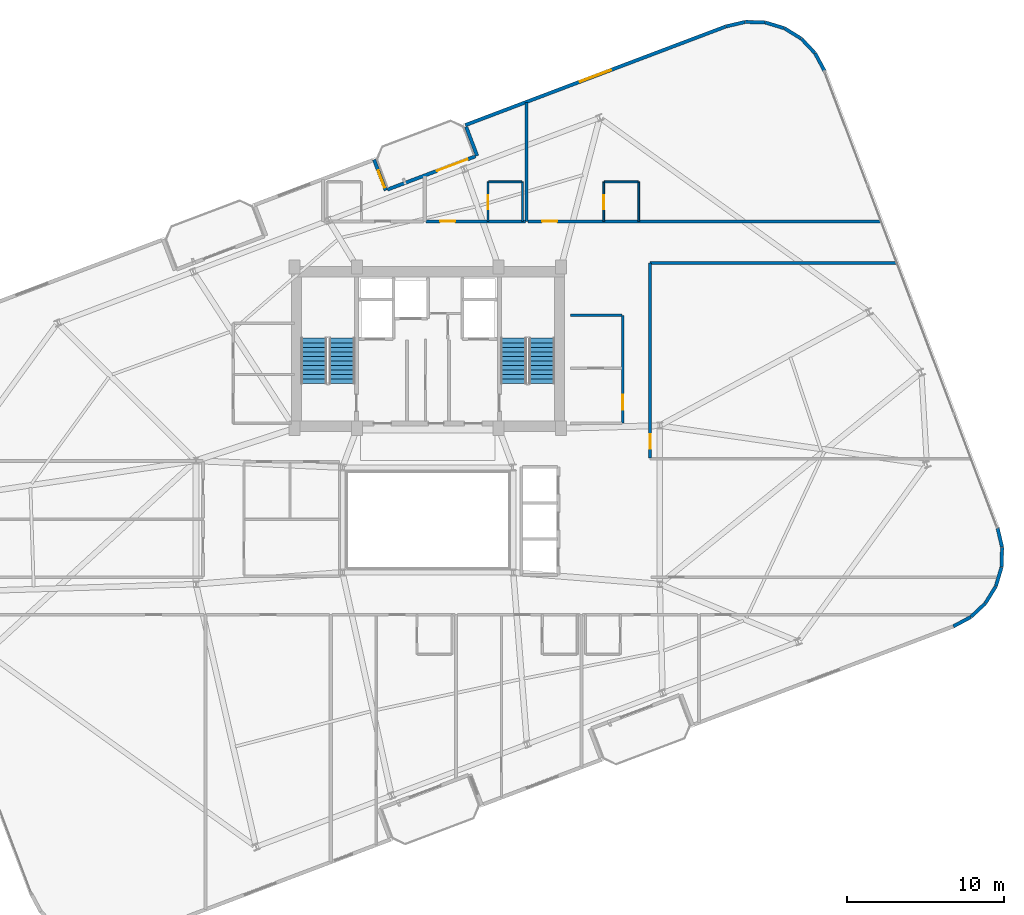
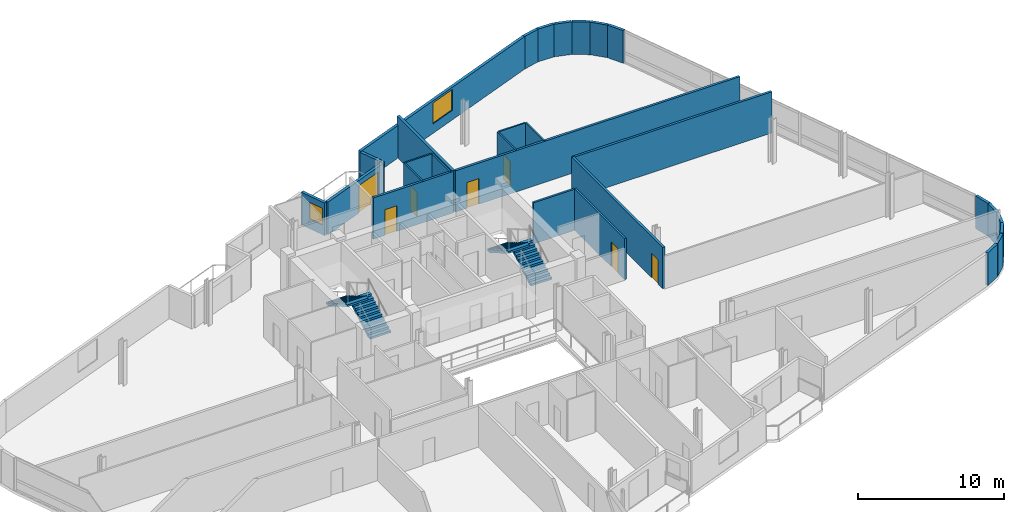
# One storey, part 17 of 20: 29 walls, 7 doors, 4 stair flights, 2 windows, 9 openings, 2 elements without a shape of their own.
"""IFC4 building model written with IfcOpenShell, lengths in metres."""

import ifcopenshell
import ifcopenshell.guid

model = None  # the IFC model being written
_history = None  # IfcOwnerHistory: only IFC2X3 demands one
_inside = {}  # id of a spatial element -> (the spatial element, [elements in it])
_under = {}  # id of a project, library or spatial element -> (it, [spatial elements below it])
_declared = {}  # id of a project -> (the project, [libraries it declares])
_typed = {}  # id of a type object -> (the type object, [elements of that type])
_made_of = {}  # id of a material, layer set ... -> (it, [elements and type objects made of it])


def new_model(schema):
    """Start an empty IFC model of exactly this schema.

    Asked for "IFC4X3", IfcOpenShell would pick the latest addendum, in which some entities
    have other attributes; the version numbers below select the first issue.
    IFC2X3 requires an IfcOwnerHistory on every rooted entity: one is made here for all.
    """
    global model, _history
    if schema == "IFC4X3":
        model = ifcopenshell.file(schema_version=(4, 3, 0, 0))
    else:
        model = ifcopenshell.file(schema=schema)
    _inside.clear()
    _under.clear()
    _declared.clear()
    _typed.clear()
    _made_of.clear()
    _history = None
    if model.schema == "IFC2X3":
        org = make("IfcOrganization", Name="unknown")
        user = make(
            "IfcPersonAndOrganization",
            ThePerson=make("IfcPerson", FamilyName="unknown"),
            TheOrganization=org,
        )
        app = make(
            "IfcApplication",
            ApplicationDeveloper=org,
            Version="unknown",
            ApplicationFullName="unknown",
            ApplicationIdentifier="unknown",
        )
        _history = make(
            "IfcOwnerHistory",
            OwningUser=user,
            OwningApplication=app,
            ChangeAction="ADDED",
            CreationDate=0,
        )
    return model


def make(cls, **values):
    """One entity of the class cls with the attributes given. An attribute that is None is left unset."""
    return model.create_entity(
        cls, **{name: value for name, value in values.items() if value is not None}
    )


def rooted(cls, **values):
    """An entity with a GlobalId (a new one), such as an element, a storey or a relation."""
    return make(cls, GlobalId=ifcopenshell.guid.new(), OwnerHistory=_history, **values)


def si_unit(unit_type, name, prefix=None):
    """IfcSIUnit, for example si_unit("LENGTHUNIT", "METRE", prefix="MILLI")."""
    return make("IfcSIUnit", UnitType=unit_type, Prefix=prefix, Name=name)


def assignment(units):
    """IfcUnitAssignment: the units of a project."""
    return None if units is None else make("IfcUnitAssignment", Units=units)


def point(xyz):
    """IfcCartesianPoint."""
    return None if xyz is None else make("IfcCartesianPoint", Coordinates=xyz)


def direction(xyz):
    """IfcDirection."""
    return None if xyz is None else make("IfcDirection", DirectionRatios=xyz)


def frame(location, z_axis=None, x_axis=None):
    """IfcAxis2Placement3D, a coordinate frame: its origin and axes. An axis left out is left unset."""
    return make(
        "IfcAxis2Placement3D",
        Location=point(location),
        Axis=direction(z_axis),
        RefDirection=direction(x_axis),
    )


def frame_2d(location, x_axis=None):
    """IfcAxis2Placement2D, a coordinate frame in the plane: its origin and x axis."""
    return make(
        "IfcAxis2Placement2D", Location=point(location), RefDirection=direction(x_axis)
    )


def origin():
    """The frame at (0, 0, 0) with its axes left unset."""
    return frame((0.0, 0.0, 0.0))


def place(relative_to, where):
    """IfcLocalPlacement: puts the frame where relative to a parent placement (None: the world)."""
    return make(
        "IfcLocalPlacement", PlacementRelTo=relative_to, RelativePlacement=where
    )


def context(
    kind, dimensions, precision=None, world=None, true_north=None, identifier=None
):
    """IfcGeometricRepresentationContext, for example the 3D "Model" context."""
    return make(
        "IfcGeometricRepresentationContext",
        ContextIdentifier=identifier,
        ContextType=kind,
        CoordinateSpaceDimension=dimensions,
        Precision=precision,
        WorldCoordinateSystem=world,
        TrueNorth=true_north,
    )


def subcontext(parent, identifier, kind, view, scale=None):
    """IfcGeometricRepresentationSubContext, for example "Body" below "Model"."""
    return make(
        "IfcGeometricRepresentationSubContext",
        ContextIdentifier=identifier,
        ContextType=kind,
        ParentContext=parent,
        TargetScale=scale,
        TargetView=view,
    )


def project(units=None, contexts=None):
    """IfcProject with its units and contexts."""
    return rooted(
        "IfcProject",
        Name="project",
        RepresentationContexts=contexts,
        UnitsInContext=assignment(units),
    )


def spatial(cls, under=None, at=None, **own):
    """A site, building, storey or space (cls), placed at a placement, below another one or the project."""
    s = rooted(cls, ObjectPlacement=at, **own)
    if under is not None:
        _under.setdefault(under.id(), (under, []))[1].append(s)
    return s


def polyline(points):
    """IfcPolyline through the points."""
    return make("IfcPolyline", Points=[point(p) for p in points])


def profile(cls, at=None, kind="AREA", **sizes):
    """A parametric profile (cls). Its sizes go by their IFC names, for example OverallWidth=200.0."""
    return make(cls, ProfileType=kind, Position=at, **sizes)


def rectangle(**sizes):
    """IfcRectangleProfileDef."""
    return profile("IfcRectangleProfileDef", **sizes)


def outline(outer, holes=None, kind="AREA"):
    """IfcArbitraryClosedProfileDef: a profile drawn as a closed curve; with holes, ...WithVoids."""
    if holes is None:
        return make("IfcArbitraryClosedProfileDef", ProfileType=kind, OuterCurve=outer)
    return make(
        "IfcArbitraryProfileDefWithVoids",
        ProfileType=kind,
        OuterCurve=outer,
        InnerCurves=holes,
    )


def extrude(swept, where, along, depth):
    """IfcExtrudedAreaSolid: the profile swept, set in the frame where, extruded along a direction by depth."""
    return make(
        "IfcExtrudedAreaSolid",
        SweptArea=swept,
        Position=where,
        ExtrudedDirection=direction(along),
        Depth=depth,
    )


def shape(context_of_items, identifier, shape_type, items):
    """IfcShapeRepresentation: the items that make up one representation, for example the "Body"."""
    return make(
        "IfcShapeRepresentation",
        ContextOfItems=context_of_items,
        RepresentationIdentifier=identifier,
        RepresentationType=shape_type,
        Items=items,
    )


def material(Name=None, Category=None):
    """IfcMaterial."""
    return make("IfcMaterial", Name=Name, Category=Category)


def layer(
    of_material, thickness, ventilated=None, Name=None, Category=None, Priority=None
):
    """IfcMaterialLayer: one layer of a wall or slab, of a material (None: an air gap)."""
    return make(
        "IfcMaterialLayer",
        Material=of_material,
        LayerThickness=thickness,
        IsVentilated=ventilated,
        Name=Name,
        Category=Category,
        Priority=Priority,
    )


def layer_set(layers, Name=None):
    """IfcMaterialLayerSet."""
    return make("IfcMaterialLayerSet", MaterialLayers=layers, LayerSetName=Name)


def made_of(thing, what):
    """Note that an element or type object is made of a material, layer set ...; save() writes the relation."""
    if what is not None:
        _made_of.setdefault(what.id(), (what, []))[1].append(thing)
    return thing


def type_object(cls, material=None, **own):
    """A type object (cls), such as IfcWallType, which elements share."""
    return made_of(rooted(cls, **own), material)


def element(
    cls,
    number,
    at=None,
    inside=None,
    cuts=None,
    type_object=None,
    material=None,
    context=None,
    identifier="Body",
    shape_type=None,
    held_by="IfcProductDefinitionShape",
    body=None,
    shapes=None,
    **own,
):
    """One element of the class cls, such as IfcWall. Its Tag is "e" and its number.

    at: its placement. inside: the storey or other place that contains it. cuts: it is an
    opening in that element (IfcRelVoidsElement). A single representation is given by context,
    identifier, shape_type and body (its items); several are given by shapes. held_by: the class
    of the entity that holds the representations. save() writes the other relations.
    """
    e = rooted(cls, Tag="e%d" % number, ObjectPlacement=at, **own)
    if body is not None:
        shapes = [shape(context, identifier, shape_type, body)]
    if shapes is not None:
        e.Representation = make(held_by, Representations=shapes)
    if inside is not None:
        _inside.setdefault(inside.id(), (inside, []))[1].append(e)
    if cuts is not None:
        rooted(
            "IfcRelVoidsElement", RelatingBuildingElement=cuts, RelatedOpeningElement=e
        )
    if type_object is not None:
        _typed.setdefault(type_object.id(), (type_object, []))[1].append(e)
    return made_of(e, material)


def fill(opening, filler):
    """IfcRelFillsElement: the door or window that sits in an opening."""
    return rooted(
        "IfcRelFillsElement",
        RelatingOpeningElement=opening,
        RelatedBuildingElement=filler,
    )


def aggregate(whole, parts):
    """IfcRelAggregates: a whole, such as a stair, and the parts it consists of."""
    return rooted("IfcRelAggregates", RelatingObject=whole, RelatedObjects=parts)


def save(model, path):
    """Write the relations noted so far, then the file.

    IfcRelAggregates (storeys below a building ...), IfcRelContainedInSpatialStructure (elements
    in a storey), IfcRelDefinesByType, IfcRelAssociatesMaterial and IfcRelDeclares: one each for
    every whole, place, type object, material and project.
    """
    for whole, parts in _under.values():
        aggregate(whole, parts)
    for where, things in _inside.values():
        rooted(
            "IfcRelContainedInSpatialStructure",
            RelatedElements=things,
            RelatingStructure=where,
        )
    for kind, things in _typed.values():
        rooted("IfcRelDefinesByType", RelatedObjects=things, RelatingType=kind)
    for what, things in _made_of.values():
        rooted("IfcRelAssociatesMaterial", RelatedObjects=things, RelatingMaterial=what)
    for by, libraries in _declared.values():
        rooted("IfcRelDeclares", RelatingContext=by, RelatedDefinitions=libraries)
    model.write(path)


model = new_model("IFC4")

# Units and contexts
model_context = context("Model", 3, precision=1e-05, world=origin(), true_north=direction((0.0, 1.0)))
body_context = subcontext(model_context, "Body", "Model", "MODEL_VIEW")
ifc_project = project(units=[si_unit("LENGTHUNIT", "METRE"), si_unit("AREAUNIT", "SQUARE_METRE"), si_unit("VOLUMEUNIT", "CUBIC_METRE"), si_unit("PLANEANGLEUNIT", "RADIAN"), si_unit("MASSUNIT", "GRAM", prefix="KILO")], contexts=[model_context])

# Site, building, storey
site_placement = place(None, origin())
site = spatial("IfcSite", under=ifc_project, at=site_placement, CompositionType="ELEMENT")
building_placement = place(site_placement, origin())
building = spatial("IfcBuilding", under=site, at=building_placement, Name="Varnelok Gate Tower", CompositionType="ELEMENT")
storey_placement = place(building_placement, frame((0.0, 0.0, 238.60009765625)))
storey = spatial("IfcBuildingStorey", under=building, at=storey_placement, Name="L61", CompositionType="ELEMENT", Elevation=238.60009765625)

# Wall, opening, door
ifc_material_1 = material(Name="Concrete C45/55", Category="concrete")
ifc_layer_1 = layer(ifc_material_1, 0.219970703125)
ifc_layer_set_1 = layer_set([ifc_layer_1], Name="Concrete C45/55")
wall_type_1 = type_object("IfcWallType", Name="EW-BALC-220", PredefinedType="SOLIDWALL", material=ifc_layer_set_1)
wall_1_placement = place(storey_placement, frame((36.61669921875, 43.98583984375, 0.0), z_axis=(0.0, 0.0, 1.0), x_axis=(0.935227640088, 0.354046976001, 0.0)))
wall_1 = element("IfcWall", 1, at=wall_1_placement, inside=storey, type_object=wall_type_1, Name="L61 North Terrace Envelope Wall 4", PredefinedType="SOLIDWALL", context=body_context, shape_type="SweptSolid", body=[
    extrude(rectangle(XDim=6.0, YDim=0.219970703125, at=frame_2d((3.0, 0.0))), origin(), (0.0, 0.0, 1.0), 2.72998046875),
])
opening_1_placement = place(wall_1_placement, frame((3.376220703125, 0.0, 0.0)))
opening_1 = element("IfcOpeningElement", 2, at=opening_1_placement, cuts=wall_1, Name="Opening BD-2", PredefinedType="OPENING", context=body_context, shape_type="SweptSolid", body=[
    extrude(rectangle(XDim=2.10009765625, YDim=2.300048828125, at=frame_2d((1.050048828125, 1.14990234375))), frame((0.0, 0.119873046875, 0.0), z_axis=(0.0, -1.0, 0.0), x_axis=(1.0, 0.0, 0.0)), (0.0, 0.0, 1.0), 0.239990234375),
])
ifc_material_2 = material(Name="Anodized Aluminum Alloy 6063-T6", Category="aluminium")
door_type_1 = type_object("IfcDoorType", Name="DR-EXT-SLID2100", OperationType="SLIDING_TO_LEFT", PredefinedType="DOOR", material=ifc_material_2)
door_1_placement = place(opening_1_placement, origin())
door_1 = element("IfcDoor", 3, at=door_1_placement, inside=storey, type_object=door_type_1, Name="L61 North Balcony Glazed Door 4", OperationType="SLIDING_TO_LEFT", OverallHeight=2.300048828125, OverallWidth=2.10009765625, PredefinedType="DOOR", context=body_context, shape_type="SweptSolid", body=[
    extrude(rectangle(XDim=2.10009765625, YDim=2.300048828125, at=frame_2d((1.050048828125, 1.14990234375))), frame((0.0, 0.02490234375, 0.0), z_axis=(0.0, -1.0, 0.0), x_axis=(1.0, 0.0, 0.0)), (0.0, 0.0, 1.0), 0.050048828125),
])
fill(opening_1, door_1)

# Walls
wall_2_placement = place(storey_placement, frame((72.74560546875, 16.10498046875, 0.0), z_axis=(0.0, 0.0, 1.0), x_axis=(0.881112879796, 0.472906008693, 0.0)))
element("IfcWall", 4, at=wall_2_placement, inside=storey, type_object=wall_type_1, Name="L61 Perimeter Facade Closure Wall 14", PredefinedType="SOLIDWALL", context=body_context, shape_type="SweptSolid", body=[
    extrude(rectangle(XDim=1.256591796875, YDim=0.219970703125, at=frame_2d((0.62841796875, 0.0))), origin(), (0.0, 0.0, 1.0), 2.72998046875),
])
wall_3_placement = place(storey_placement, frame((73.870849609375, 16.716552734375, 0.0), z_axis=(0.0, 0.0, 1.0), x_axis=(0.728475443486, 0.685071914647, 0.0)))
element("IfcWall", 5, at=wall_3_placement, inside=storey, type_object=wall_type_1, Name="L61 Perimeter Facade Closure Wall 15", PredefinedType="SOLIDWALL", context=body_context, shape_type="SweptSolid", body=[
    extrude(rectangle(XDim=1.248779296875, YDim=0.219970703125, at=frame_2d((0.62451171875, 0.0))), origin(), (0.0, 0.0, 1.0), 2.72998046875),
])
for number, where, z_axis, x_axis, name in (
    (6, (74.793701171875, 17.59326171875, 0.0), (0.0, 0.0, 1.0), (0.526549805576, 0.850144283194, 0.0), "L61 Perimeter Facade Closure Wall 16"),
    (7, (75.458251953125, 18.6787109375, 0.0), (0.0, 0.0, 1.0), (0.288406081086, 0.957508189204, 0.0), "L61 Perimeter Facade Closure Wall 17"),
):
    element("IfcWall", number, at=place(storey_placement, frame(where, z_axis=z_axis, x_axis=x_axis)), inside=storey, type_object=wall_type_1, Name=name, PredefinedType="SOLIDWALL", context=body_context, shape_type="SweptSolid", body=[
        extrude(rectangle(XDim=1.24853515625, YDim=0.219970703125, at=frame_2d((0.624267578125, 0.0))), origin(), (0.0, 0.0, 1.0), 2.72998046875),
    ])
wall_4_placement = place(storey_placement, frame((75.819091796875, 19.8994140625, 0.0), z_axis=(0.0, 0.0, 1.0), x_axis=(0.030898954628, 0.999522513305, 0.0)))
element("IfcWall", 8, at=wall_4_placement, inside=storey, type_object=wall_type_1, Name="L61 Perimeter Facade Closure Wall 18", PredefinedType="SOLIDWALL", context=body_context, shape_type="SweptSolid", body=[
    extrude(rectangle(XDim=1.248291015625, YDim=0.219970703125, at=frame_2d((0.6240234375, 0.0))), origin(), (0.0, 0.0, 1.0), 2.72998046875),
])
wall_5_placement = place(storey_placement, frame((75.851806640625, 21.171630859375, 0.0), z_axis=(0.0, 0.0, 1.0), x_axis=(-0.228941257463, 0.973440239887, 0.0)))
element("IfcWall", 9, at=wall_5_placement, inside=storey, type_object=wall_type_1, Name="L61 Perimeter Facade Closure Wall 19", PredefinedType="SOLIDWALL", context=body_context, shape_type="SweptSolid", body=[
    extrude(rectangle(XDim=1.248779296875, YDim=0.219970703125, at=frame_2d((0.62451171875, 0.0))), origin(), (0.0, 0.0, 1.0), 2.72998046875),
])
wall_6_placement = place(storey_placement, frame((64.519287109375, 51.566162109375, 0.0), z_axis=(0.0, 0.0, 1.0), x_axis=(-0.473093575122, 0.881012184466, 0.0)))
element("IfcWall", 10, at=wall_6_placement, inside=storey, type_object=wall_type_1, Name="L61 Perimeter Facade Closure Wall 20", PredefinedType="SOLIDWALL", context=body_context, shape_type="SweptSolid", body=[
    extrude(rectangle(XDim=1.273681640625, YDim=0.219970703125, at=frame_2d((0.63671875, 0.0))), origin(), (0.0, 0.0, 1.0), 2.72998046875),
])
for number, where, z_axis, x_axis, name in (
    (11, (63.8994140625, 52.706298828125, 0.0), (0.0, 0.0, 1.0), (-0.684870565369, 0.728664743686, 0.0), "L61 Perimeter Facade Closure Wall 21"),
    (12, (63.02294921875, 53.629150390625, 0.0), (0.0, 0.0, 1.0), (-0.850198480006, 0.526462291712, 0.0), "L61 Perimeter Facade Closure Wall 22"),
):
    element("IfcWall", number, at=place(storey_placement, frame(where, z_axis=z_axis, x_axis=x_axis)), inside=storey, type_object=wall_type_1, Name=name, PredefinedType="SOLIDWALL", context=body_context, shape_type="SweptSolid", body=[
        extrude(rectangle(XDim=1.248779296875, YDim=0.219970703125, at=frame_2d((0.62451171875, 0.0))), origin(), (0.0, 0.0, 1.0), 2.72998046875),
    ])
for number, where, z_axis, x_axis, name in (
    (13, (61.937255859375, 54.293701171875, 0.0), (0.0, 0.0, 1.0), (-0.957508189204, 0.288406081086, 0.0), "L61 Perimeter Facade Closure Wall 23"),
    (14, (60.716796875, 54.65478515625, 0.0), (0.0, 0.0, 1.0), (-0.999528718359, 0.030697576053, 0.0), "L61 Perimeter Facade Closure Wall 24"),
):
    element("IfcWall", number, at=place(storey_placement, frame(where, z_axis=z_axis, x_axis=x_axis)), inside=storey, type_object=wall_type_1, Name=name, PredefinedType="SOLIDWALL", context=body_context, shape_type="SweptSolid", body=[
        extrude(rectangle(XDim=1.24853515625, YDim=0.219970703125, at=frame_2d((0.624267578125, 0.0))), origin(), (0.0, 0.0, 1.0), 2.72998046875),
    ])
wall_7_placement = place(storey_placement, frame((59.4443359375, 54.6875, 0.0), z_axis=(0.0, 0.0, 1.0), x_axis=(-0.973409523464, -0.229071821989, 0.0)))
element("IfcWall", 15, at=wall_7_placement, inside=storey, type_object=wall_type_1, Name="L61 Perimeter Facade Closure Wall 25", PredefinedType="SOLIDWALL", context=body_context, shape_type="SweptSolid", body=[
    extrude(rectangle(XDim=1.256591796875, YDim=0.219970703125, at=frame_2d((0.62841796875, 0.0))), origin(), (0.0, 0.0, 1.0), 2.72998046875),
])

# Wall, opening, window
wall_8_placement = place(storey_placement, frame((58.19775390625, 54.390869140625, 0.0), z_axis=(0.0, 0.0, 1.0), x_axis=(-0.935223849772, -0.354056988094, 0.0)))
wall_8 = element("IfcWall", 16, at=wall_8_placement, inside=storey, type_object=wall_type_1, Name="L61 Perimeter Facade Closure Wall 26", PredefinedType="SOLIDWALL", context=body_context, shape_type="SweptSolid", body=[
    extrude(rectangle(XDim=17.7470703125, YDim=0.219970703125, at=frame_2d((8.87353515625, 0.0))), origin(), (0.0, 0.0, 1.0), 2.72998046875),
])
opening_2_placement = place(wall_8_placement, frame((7.823486328125, 0.0, 0.800048828125)))
opening_2 = element("IfcOpeningElement", 17, at=opening_2_placement, cuts=wall_8, Name="Opening WN4", PredefinedType="OPENING", context=body_context, shape_type="SweptSolid", body=[
    extrude(rectangle(XDim=2.10009765625, YDim=1.75, at=frame_2d((1.050048828125, 0.875))), frame((0.0, 0.119873046875, 0.0), z_axis=(0.0, -1.0, 0.0), x_axis=(1.0, 0.0, 0.0)), (0.0, 0.0, 1.0), 0.239990234375),
])
ifc_material_3 = material(Name="Low-E Laminated Double Glazing IGU", Category="glass")
window_type_1 = type_object("IfcWindowType", Name="WN-SUI-2100", PartitioningType="SINGLE_PANEL", PredefinedType="WINDOW", material=ifc_material_3)
window_1_placement = place(opening_2_placement, origin())
window_1 = element("IfcWindow", 18, at=window_1_placement, inside=storey, type_object=window_type_1, Name="L61 Perimeter Vision Window 26", OverallHeight=1.75, OverallWidth=2.10009765625, PartitioningType="SINGLE_PANEL", PredefinedType="WINDOW", context=body_context, shape_type="SweptSolid", body=[
    extrude(rectangle(XDim=2.10009765625, YDim=1.75, at=frame_2d((1.050048828125, 0.875))), frame((0.0, 0.030029296875, 0.0), z_axis=(0.0, -1.0, 0.0), x_axis=(1.0, 0.0, 0.0)), (0.0, 0.0, 1.0), 0.06005859375),
])
fill(opening_2, window_1)

# Wall
wall_9_placement = place(storey_placement, frame((41.64453125, 47.990478515625, 0.0), z_axis=(0.0, 0.0, 1.0), x_axis=(0.354020680661, -0.935237594232, 0.0)))
element("IfcWall", 19, at=wall_9_placement, inside=storey, type_object=wall_type_1, Name="L61 Perimeter Facade Closure Wall 27", PredefinedType="SOLIDWALL", context=body_context, shape_type="SweptSolid", body=[
    extrude(rectangle(XDim=1.97509765625, YDim=0.219970703125, at=frame_2d((0.987548828125, 0.0))), origin(), (0.0, 0.0, 1.0), 2.72998046875),
])

# Wall, opening, window
wall_10_placement = place(storey_placement, frame((36.508056640625, 43.93408203125, 0.0), z_axis=(0.0, 0.0, 1.0), x_axis=(-0.354128469405, 0.935196785258, 0.0)))
wall_10 = element("IfcWall", 20, at=wall_10_placement, inside=storey, type_object=wall_type_1, Name="L61 Perimeter Facade Closure Wall 28", PredefinedType="SOLIDWALL", context=body_context, shape_type="SweptSolid", body=[
    extrude(rectangle(XDim=2.099853515625, YDim=0.219970703125, at=frame_2d((1.0498046875, 0.0))), origin(), (0.0, 0.0, 1.0), 2.72998046875),
])
opening_3_placement = place(wall_10_placement, frame((0.199951171875, 0.0, 0.800048828125)))
opening_3 = element("IfcOpeningElement", 21, at=opening_3_placement, cuts=wall_10, Name="Opening WN8", PredefinedType="OPENING", context=body_context, shape_type="SweptSolid", body=[
    extrude(rectangle(XDim=1.14990234375, YDim=1.39990234375, at=frame_2d((0.574951171875, 0.699951171875))), frame((0.0, 0.119873046875, 0.0), z_axis=(0.0, -1.0, 0.0), x_axis=(1.0, 0.0, 0.0)), (0.0, 0.0, 1.0), 0.239990234375),
])
window_type_2 = type_object("IfcWindowType", Name="WN-BED-1150", PartitioningType="SINGLE_PANEL", PredefinedType="WINDOW", material=ifc_material_3)
window_2_placement = place(opening_3_placement, origin())
window_2 = element("IfcWindow", 22, at=window_2_placement, inside=storey, type_object=window_type_2, Name="L61 Bedroom Vision Window 45", OverallHeight=1.39990234375, OverallWidth=1.14990234375, PartitioningType="SINGLE_PANEL", PredefinedType="WINDOW", context=body_context, shape_type="SweptSolid", body=[
    extrude(rectangle(XDim=1.14990234375, YDim=1.39990234375, at=frame_2d((0.574951171875, 0.699951171875))), frame((0.0, 0.030029296875, 0.0), z_axis=(0.0, -1.0, 0.0), x_axis=(1.0, 0.0, 0.0)), (0.0, 0.0, 1.0), 0.06005859375),
])
fill(opening_3, window_2)

# Wall, opening, door
ifc_material_4 = material(Name="Gypsum Plasterboard Acoustic Partition", Category="gypsum")
ifc_layer_2 = layer(ifc_material_4, 0.179931640625)
ifc_layer_set_2 = layer_set([ifc_layer_2], Name="Gypsum Plasterboard Acoustic Partition")
wall_type_2 = type_object("IfcWallType", Name="PW-CORR-180", PredefinedType="PARTITIONING", material=ifc_layer_set_2)
wall_11_placement = place(storey_placement, frame((39.080078125, 41.9599609375, 0.0), z_axis=(0.0, 0.0, 1.0), x_axis=(1.0, 0.0, 0.0)))
wall_11 = element("IfcWall", 23, at=wall_11_placement, inside=storey, type_object=wall_type_2, Name="Interior Partition", PredefinedType="PARTITIONING", context=body_context, shape_type="SweptSolid", body=[
    extrude(rectangle(XDim=6.33984375, YDim=0.179931640625, at=frame_2d((3.169921875, 0.0))), origin(), (0.0, 0.0, 1.0), 3.449951171875),
])
opening_4_placement = place(wall_11_placement, frame((0.90966796875, 0.0, 0.0)))
opening_4 = element("IfcOpeningElement", 24, at=opening_4_placement, cuts=wall_11, Name="Opening D-HT", PredefinedType="OPENING", context=body_context, shape_type="SweptSolid", body=[
    extrude(rectangle(XDim=0.949951171875, YDim=2.14990234375, at=frame_2d((0.47509765625, 1.074951171875))), frame((0.0, 0.099853515625, 0.0), z_axis=(0.0, -1.0, 0.0), x_axis=(1.0, 0.0, 0.0)), (0.0, 0.0, 1.0), 0.199951171875),
])
ifc_material_5 = material(Name="Engineered Hardwood Timber", Category="wood")
door_type_2 = type_object("IfcDoorType", Name="DR-HTL-950", OperationType="NOTDEFINED", PredefinedType="DOOR", material=ifc_material_5)
door_2_placement = place(opening_4_placement, origin())
door_2 = element("IfcDoor", 25, at=door_2_placement, inside=storey, type_object=door_type_2, Name="L61 Guest Room 09 Entrance Door", OperationType="SINGLE_SWING_RIGHT", OverallHeight=2.14990234375, OverallWidth=0.949951171875, PredefinedType="DOOR", context=body_context, shape_type="SweptSolid", body=[
    extrude(rectangle(XDim=0.949951171875, YDim=2.14990234375, at=frame_2d((0.47509765625, 1.074951171875))), frame((0.0, 0.02490234375, 0.0), z_axis=(0.0, -1.0, 0.0), x_axis=(1.0, 0.0, 0.0)), (0.0, 0.0, 1.0), 0.050048828125),
])
fill(opening_4, door_2)

wall_12_placement = place(storey_placement, frame((45.580078125, 41.9599609375, 0.0), z_axis=(0.0, 0.0, 1.0), x_axis=(1.0, 0.0, 0.0)))
wall_12 = element("IfcWall", 26, at=wall_12_placement, inside=storey, type_object=wall_type_2, Name="Interior Partition", PredefinedType="PARTITIONING", context=body_context, shape_type="SweptSolid", body=[
    extrude(rectangle(XDim=22.515625, YDim=0.179931640625, at=frame_2d((11.2578125, 0.0))), origin(), (0.0, 0.0, 1.0), 3.449951171875),
])
opening_5_placement = place(wall_12_placement, frame((0.916015625, 0.0, 0.0)))
opening_5 = element("IfcOpeningElement", 27, at=opening_5_placement, cuts=wall_12, Name="Opening D-HT", PredefinedType="OPENING", context=body_context, shape_type="SweptSolid", body=[
    extrude(rectangle(XDim=0.949951171875, YDim=2.14990234375, at=frame_2d((0.47509765625, 1.074951171875))), frame((0.0, 0.099853515625, 0.0), z_axis=(0.0, -1.0, 0.0), x_axis=(1.0, 0.0, 0.0)), (0.0, 0.0, 1.0), 0.199951171875),
])
door_3_placement = place(opening_5_placement, origin())
door_3 = element("IfcDoor", 28, at=door_3_placement, inside=storey, type_object=door_type_2, Name="L61 Guest Room 10 Entrance Door", OperationType="SINGLE_SWING_LEFT", OverallHeight=2.14990234375, OverallWidth=0.949951171875, PredefinedType="DOOR", context=body_context, shape_type="SweptSolid", body=[
    extrude(rectangle(XDim=0.949951171875, YDim=2.14990234375, at=frame_2d((0.47509765625, 1.074951171875))), frame((0.0, 0.02490234375, 0.0), z_axis=(0.0, -1.0, 0.0), x_axis=(1.0, 0.0, 0.0)), (0.0, 0.0, 1.0), 0.050048828125),
])
fill(opening_5, door_3)

wall_13_placement = place(storey_placement, frame((53.389892578125, 26.840087890625, 0.0), z_axis=(0.0, 0.0, 1.0), x_axis=(0.0, 1.0, 0.0)))
wall_13 = element("IfcWall", 29, at=wall_13_placement, inside=storey, type_object=wall_type_2, Name="Interior Partition", PredefinedType="PARTITIONING", context=body_context, shape_type="SweptSolid", body=[
    extrude(rectangle(XDim=12.4599609375, YDim=0.179931640625, at=frame_2d((6.22998046875, 0.0))), origin(), (0.0, 0.0, 1.0), 3.449951171875),
])
opening_6_placement = place(wall_13_placement, frame((0.6181640625, 0.0, 0.0)))
opening_6 = element("IfcOpeningElement", 30, at=opening_6_placement, cuts=wall_13, Name="Opening D-I3", PredefinedType="OPENING", context=body_context, shape_type="SweptSolid", body=[
    extrude(rectangle(XDim=0.919921875, YDim=2.050048828125, at=frame_2d((0.4599609375, 1.02490234375))), frame((0.0, 0.099853515625, 0.0), z_axis=(0.0, -1.0, 0.0), x_axis=(1.0, 0.0, 0.0)), (0.0, 0.0, 1.0), 0.199951171875),
])
door_type_3 = type_object("IfcDoorType", Name="DR-INT-920", OperationType="NOTDEFINED", PredefinedType="DOOR", material=ifc_material_5)
door_4_placement = place(opening_6_placement, origin())
door_4 = element("IfcDoor", 31, at=door_4_placement, inside=storey, type_object=door_type_3, Name="L61 East Playroom Door", OperationType="SINGLE_SWING_LEFT", OverallHeight=2.050048828125, OverallWidth=0.919921875, PredefinedType="DOOR", context=body_context, shape_type="SweptSolid", body=[
    extrude(rectangle(XDim=0.919921875, YDim=2.050048828125, at=frame_2d((0.4599609375, 1.02490234375))), frame((0.0, 0.02490234375, 0.0), z_axis=(0.0, -1.0, 0.0), x_axis=(1.0, 0.0, 0.0)), (0.0, 0.0, 1.0), 0.050048828125),
])
fill(opening_6, door_4)

# Walls
wall_14_placement = place(storey_placement, frame((53.389892578125, 39.300048828125, 0.0), z_axis=(0.0, 0.0, 1.0), x_axis=(1.0, 0.0, 0.0)))
element("IfcWall", 32, at=wall_14_placement, inside=storey, type_object=wall_type_2, Name="Interior Partition", PredefinedType="PARTITIONING", context=body_context, shape_type="SweptSolid", body=[
    extrude(rectangle(XDim=15.712890625, YDim=0.179931640625, at=frame_2d((7.8564453125, 0.0))), origin(), (0.0, 0.0, 1.0), 3.449951171875),
])
ifc_layer_3 = layer(ifc_material_4, 0.114990234375)
ifc_layer_set_3 = layer_set([ifc_layer_3], Name="Gypsum Plasterboard Acoustic Partition")
wall_type_3 = type_object("IfcWallType", Name="PW-ENS-125", PredefinedType="PARTITIONING", material=ifc_layer_set_3)
wall_15_placement = place(storey_placement, frame((43.075927734375, 44.47998046875, 0.0), z_axis=(0.0, 0.0, 1.0), x_axis=(1.0, 0.0, 0.0)))
element("IfcWall", 33, at=wall_15_placement, inside=storey, type_object=wall_type_3, Name="Interior Partition", PredefinedType="PARTITIONING", context=body_context, shape_type="SweptSolid", body=[
    extrude(rectangle(XDim=2.1240234375, YDim=0.114990234375, at=frame_2d((1.06201171875, 0.0))), origin(), (0.0, 0.0, 1.0), 3.449951171875),
])

# Wall, opening, door
wall_16_placement = place(storey_placement, frame((43.035888671875, 41.9599609375, 0.0), z_axis=(0.0, 0.0, 1.0), x_axis=(0.0, 1.0, 0.0)))
wall_16 = element("IfcWall", 34, at=wall_16_placement, inside=storey, type_object=wall_type_3, Name="Interior Partition", PredefinedType="PARTITIONING", context=body_context, shape_type="SweptSolid", body=[
    extrude(rectangle(XDim=2.52001953125, YDim=0.114990234375, at=frame_2d((1.260009765625, 0.0))), origin(), (0.0, 0.0, 1.0), 3.449951171875),
])
opening_7_placement = place(wall_16_placement, frame((0.760009765625, 0.0, 0.0)))
opening_7 = element("IfcOpeningElement", 35, at=opening_7_placement, cuts=wall_16, Name="Opening D-WC", PredefinedType="OPENING", context=body_context, shape_type="SweptSolid", body=[
    extrude(rectangle(XDim=0.89990234375, YDim=2.050048828125, at=frame_2d((0.449951171875, 1.02490234375))), frame((0.0, 0.0673828125, 0.0), z_axis=(0.0, -1.0, 0.0), x_axis=(1.0, 0.0, 0.0)), (0.0, 0.0, 1.0), 0.135009765625),
])
door_type_4 = type_object("IfcDoorType", Name="DR-BATH-900", OperationType="NOTDEFINED", PredefinedType="DOOR", material=ifc_material_5)
door_5_placement = place(opening_7_placement, origin())
door_5 = element("IfcDoor", 36, at=door_5_placement, inside=storey, type_object=door_type_4, Name="L61 North En-Suite 09 Door", OperationType="SINGLE_SWING_LEFT", OverallHeight=2.050048828125, OverallWidth=0.89990234375, PredefinedType="DOOR", context=body_context, shape_type="SweptSolid", body=[
    extrude(rectangle(XDim=0.89990234375, YDim=2.050048828125, at=frame_2d((0.449951171875, 1.02490234375))), frame((0.0, 0.02490234375, 0.0), z_axis=(0.0, -1.0, 0.0), x_axis=(1.0, 0.0, 0.0)), (0.0, 0.0, 1.0), 0.050048828125),
])
fill(opening_7, door_5)

# Walls
wall_17_placement = place(storey_placement, frame((45.239990234375, 41.9599609375, 0.0), z_axis=(0.0, 0.0, 1.0), x_axis=(0.0, 1.0, 0.0)))
element("IfcWall", 37, at=wall_17_placement, inside=storey, type_object=wall_type_3, Name="Interior Partition", PredefinedType="PARTITIONING", context=body_context, shape_type="SweptSolid", body=[
    extrude(rectangle(XDim=2.52001953125, YDim=0.114990234375, at=frame_2d((1.260009765625, 0.0))), origin(), (0.0, 0.0, 1.0), 3.449951171875),
])
wall_18_placement = place(storey_placement, frame((50.469970703125, 44.47998046875, 0.0), z_axis=(0.0, 0.0, 1.0), x_axis=(1.0, 0.0, 0.0)))
element("IfcWall", 38, at=wall_18_placement, inside=storey, type_object=wall_type_3, Name="Interior Partition", PredefinedType="PARTITIONING", context=body_context, shape_type="SweptSolid", body=[
    extrude(rectangle(XDim=2.150146484375, YDim=0.114990234375, at=frame_2d((1.0751953125, 0.0))), origin(), (0.0, 0.0, 1.0), 3.449951171875),
])

# Wall, opening, door
wall_19_placement = place(storey_placement, frame((50.429931640625, 41.9599609375, 0.0), z_axis=(0.0, 0.0, 1.0), x_axis=(0.0, 1.0, 0.0)))
wall_19 = element("IfcWall", 39, at=wall_19_placement, inside=storey, type_object=wall_type_3, Name="Interior Partition", PredefinedType="PARTITIONING", context=body_context, shape_type="SweptSolid", body=[
    extrude(rectangle(XDim=2.52001953125, YDim=0.114990234375, at=frame_2d((1.260009765625, 0.0))), origin(), (0.0, 0.0, 1.0), 3.449951171875),
])
opening_8_placement = place(wall_19_placement, frame((0.760009765625, 0.0, 0.0)))
opening_8 = element("IfcOpeningElement", 40, at=opening_8_placement, cuts=wall_19, Name="Opening D-WC", PredefinedType="OPENING", context=body_context, shape_type="SweptSolid", body=[
    extrude(rectangle(XDim=0.89990234375, YDim=2.050048828125, at=frame_2d((0.449951171875, 1.02490234375))), frame((0.0, 0.0673828125, 0.0), z_axis=(0.0, -1.0, 0.0), x_axis=(1.0, 0.0, 0.0)), (0.0, 0.0, 1.0), 0.135009765625),
])
door_6_placement = place(opening_8_placement, origin())
door_6 = element("IfcDoor", 41, at=door_6_placement, inside=storey, type_object=door_type_4, Name="L61 North En-Suite 10 Door", OperationType="SINGLE_SWING_LEFT", OverallHeight=2.050048828125, OverallWidth=0.89990234375, PredefinedType="DOOR", context=body_context, shape_type="SweptSolid", body=[
    extrude(rectangle(XDim=0.89990234375, YDim=2.050048828125, at=frame_2d((0.449951171875, 1.02490234375))), frame((0.0, 0.02490234375, 0.0), z_axis=(0.0, -1.0, 0.0), x_axis=(1.0, 0.0, 0.0)), (0.0, 0.0, 1.0), 0.050048828125),
])
fill(opening_8, door_6)

# Walls
wall_20_placement = place(storey_placement, frame((52.659912109375, 41.9599609375, 0.0), z_axis=(0.0, 0.0, 1.0), x_axis=(0.0, 1.0, 0.0)))
element("IfcWall", 42, at=wall_20_placement, inside=storey, type_object=wall_type_3, Name="Interior Partition", PredefinedType="PARTITIONING", context=body_context, shape_type="SweptSolid", body=[
    extrude(rectangle(XDim=2.52001953125, YDim=0.114990234375, at=frame_2d((1.260009765625, 0.0))), origin(), (0.0, 0.0, 1.0), 3.449951171875),
])
ifc_layer_4 = layer(ifc_material_4, 0.14990234375)
ifc_layer_set_4 = layer_set([ifc_layer_4], Name="Gypsum Plasterboard Acoustic Partition")
wall_type_4 = type_object("IfcWallType", Name="PW-PART-150", PredefinedType="PARTITIONING", material=ifc_layer_set_4)
wall_21_placement = place(storey_placement, frame((48.300048828125, 35.9599609375, 0.0), z_axis=(0.0, 0.0, 1.0), x_axis=(1.0, 0.0, 0.0)))
element("IfcWall", 43, at=wall_21_placement, inside=storey, type_object=wall_type_4, Name="Interior Partition", PredefinedType="PARTITIONING", context=body_context, shape_type="SweptSolid", body=[
    extrude(rectangle(XDim=3.280029296875, YDim=0.14990234375, at=frame_2d((1.64013671875, 0.0))), origin(), (0.0, 0.0, 1.0), 3.449951171875),
])

# Wall, opening, door
wall_22_placement = place(storey_placement, frame((51.639892578125, 29.080078125, 0.0), z_axis=(0.0, 0.0, 1.0), x_axis=(0.0, 1.0, 0.0)))
wall_22 = element("IfcWall", 44, at=wall_22_placement, inside=storey, type_object=wall_type_4, Name="Interior Partition", PredefinedType="PARTITIONING", context=body_context, shape_type="SweptSolid", body=[
    extrude(rectangle(XDim=6.8798828125, YDim=0.14990234375, at=frame_2d((3.43994140625, 0.0))), origin(), (0.0, 0.0, 1.0), 3.449951171875),
])
opening_9_placement = place(wall_22_placement, frame((0.85009765625, 0.0, 0.0)))
opening_9 = element("IfcOpeningElement", 45, at=opening_9_placement, cuts=wall_22, Name="Opening D-I2", PredefinedType="OPENING", context=body_context, shape_type="SweptSolid", body=[
    extrude(rectangle(XDim=0.949951171875, YDim=2.050048828125, at=frame_2d((0.47509765625, 1.02490234375))), frame((0.0, 0.0849609375, 0.0), z_axis=(0.0, -1.0, 0.0), x_axis=(1.0, 0.0, 0.0)), (0.0, 0.0, 1.0), 0.169921875),
])
door_type_5 = type_object("IfcDoorType", Name="DR-INT-950", OperationType="NOTDEFINED", PredefinedType="DOOR", material=ifc_material_5)
door_7_placement = place(opening_9_placement, origin())
door_7 = element("IfcDoor", 46, at=door_7_placement, inside=storey, type_object=door_type_5, Name="L61 Reclaimed Wine Storage Door", OperationType="SINGLE_SWING_RIGHT", OverallHeight=2.050048828125, OverallWidth=0.949951171875, PredefinedType="DOOR", context=body_context, shape_type="SweptSolid", body=[
    extrude(rectangle(XDim=0.949951171875, YDim=2.050048828125, at=frame_2d((0.47509765625, 1.02490234375))), frame((0.0, 0.02490234375, 0.0), z_axis=(0.0, -1.0, 0.0), x_axis=(1.0, 0.0, 0.0)), (0.0, 0.0, 1.0), 0.050048828125),
])
fill(opening_9, door_7)

# Wall
ifc_layer_5 = layer(ifc_material_4, 0.205078125)
ifc_layer_set_5 = layer_set([ifc_layer_5], Name="Gypsum Plasterboard Acoustic Partition")
wall_type_5 = type_object("IfcWallType", Name="PW-PARTY-200", PredefinedType="PARTITIONING", material=ifc_layer_set_5)
wall_23_placement = place(storey_placement, frame((45.5, 41.9599609375, 0.0), z_axis=(0.0, 0.0, 1.0), x_axis=(0.0, 1.0, 0.0)))
element("IfcWall", 47, at=wall_23_placement, inside=storey, type_object=wall_type_5, Name="L61 North Party Wall 3", PredefinedType="PARTITIONING", context=body_context, shape_type="SweptSolid", body=[
    extrude(rectangle(XDim=7.602294921875, YDim=0.205078125, at=frame_2d((3.80126953125, 0.0))), origin(), (0.0, 0.0, 1.0), 3.449951171875),
])

# Stair, stair flights
ifc_material_6 = material(Name="Concrete C50/60", Category="concrete")
stair_type = type_object("IfcStairType", Name="STR-CORE-1650", PredefinedType="HALF_TURN_STAIR", material=ifc_material_6)
stair_1_placement = place(storey_placement, origin())
stair_1 = element("IfcStair", 48, at=stair_1_placement, inside=storey, type_object=stair_type, Name="L61 Exit Stair ST-1", PredefinedType="HALF_TURN_STAIR")
stair_flight_type = type_object("IfcStairFlightType", Name="SFL-CORE-1650", PredefinedType="STRAIGHT", material=ifc_material_6)
stair_flight_1_placement = place(storey_placement, frame((33.72509765625, 31.60009765625, 0.0), z_axis=(0.0, 0.0, 1.0), x_axis=(0.0, 1.0, 0.0)))
stair_flight_1 = element("IfcStairFlight", 49, at=stair_flight_1_placement, type_object=stair_flight_type, Name="ST-1 flight 1", NumberOfRisers=11, NumberOfTreads=10, PredefinedType="STRAIGHT", RiserHeight=0.168181818, TreadLength=0.29, context=body_context, shape_type="SweptSolid", body=[
    extrude(outline(polyline([(0.0, 0.0), (0.0, 0.168212890625), (0.2900390625, 0.168212890625), (0.2900390625, 0.33642578125), (0.580078125, 0.33642578125), (0.580078125, 0.504638671875), (0.8701171875, 0.504638671875), (0.8701171875, 0.672607421875), (1.159912109375, 0.672607421875), (1.159912109375, 0.8408203125), (1.449951171875, 0.8408203125), (1.449951171875, 1.009033203125), (1.739990234375, 1.009033203125), (1.739990234375, 1.17724609375), (2.030029296875, 1.17724609375), (2.030029296875, 1.345458984375), (2.320068359375, 1.345458984375), (2.320068359375, 1.513671875), (2.610107421875, 1.513671875), (2.610107421875, 1.681884765625), (2.89990234375, 1.681884765625), (2.89990234375, 1.85009765625), (2.89990234375, 1.508544921875), (0.298828125, 0.0), (0.0, 0.0)])), frame((0.0, 0.824951171875, 0.0), z_axis=(0.0, -1.0, 0.0), x_axis=(1.0, 0.0, 0.0)), (0.0, 0.0, 1.0), 1.64990234375),
])
stair_flight_2_placement = place(storey_placement, frame((31.925048828125, 34.5, 1.849853515625), z_axis=(0.0, 0.0, 1.0), x_axis=(0.0, -1.0, 0.0)))
stair_flight_2 = element("IfcStairFlight", 50, at=stair_flight_2_placement, type_object=stair_flight_type, Name="ST-1 flight 2", NumberOfRisers=11, NumberOfTreads=10, PredefinedType="STRAIGHT", RiserHeight=0.168181818, TreadLength=0.29, context=body_context, shape_type="SweptSolid", body=[
    extrude(outline(polyline([(0.0, 0.0), (0.0, 0.168212890625), (0.2900390625, 0.168212890625), (0.2900390625, 0.33642578125), (0.580078125, 0.33642578125), (0.580078125, 0.504638671875), (0.8701171875, 0.504638671875), (0.8701171875, 0.672607421875), (1.159912109375, 0.672607421875), (1.159912109375, 0.8408203125), (1.449951171875, 0.8408203125), (1.449951171875, 1.009033203125), (1.739990234375, 1.009033203125), (1.739990234375, 1.17724609375), (2.030029296875, 1.17724609375), (2.030029296875, 1.345458984375), (2.320068359375, 1.345458984375), (2.320068359375, 1.513671875), (2.610107421875, 1.513671875), (2.610107421875, 1.681884765625), (2.89990234375, 1.681884765625), (2.89990234375, 1.85009765625), (2.89990234375, 1.508544921875), (0.298828125, 0.0), (0.0, 0.0)])), frame((0.0, 0.824951171875, 0.0), z_axis=(0.0, -1.0, 0.0), x_axis=(1.0, 0.0, 0.0)), (0.0, 0.0, 1.0), 1.64990234375),
])
aggregate(stair_1, [stair_flight_1, stair_flight_2])

stair_2_placement = place(storey_placement, origin())
stair_2 = element("IfcStair", 51, at=stair_2_placement, inside=storey, type_object=stair_type, Name="L61 Exit Stair ST-2", PredefinedType="HALF_TURN_STAIR")
stair_flight_3_placement = place(storey_placement, frame((46.47509765625, 31.60009765625, 0.0), z_axis=(0.0, 0.0, 1.0), x_axis=(0.0, 1.0, 0.0)))
stair_flight_3 = element("IfcStairFlight", 52, at=stair_flight_3_placement, type_object=stair_flight_type, Name="ST-2 flight 1", NumberOfRisers=11, NumberOfTreads=10, PredefinedType="STRAIGHT", RiserHeight=0.168181818, TreadLength=0.29, context=body_context, shape_type="SweptSolid", body=[
    extrude(outline(polyline([(0.0, 0.0), (0.0, 0.168212890625), (0.2900390625, 0.168212890625), (0.2900390625, 0.33642578125), (0.580078125, 0.33642578125), (0.580078125, 0.504638671875), (0.8701171875, 0.504638671875), (0.8701171875, 0.672607421875), (1.159912109375, 0.672607421875), (1.159912109375, 0.8408203125), (1.449951171875, 0.8408203125), (1.449951171875, 1.009033203125), (1.739990234375, 1.009033203125), (1.739990234375, 1.17724609375), (2.030029296875, 1.17724609375), (2.030029296875, 1.345458984375), (2.320068359375, 1.345458984375), (2.320068359375, 1.513671875), (2.610107421875, 1.513671875), (2.610107421875, 1.681884765625), (2.89990234375, 1.681884765625), (2.89990234375, 1.85009765625), (2.89990234375, 1.508544921875), (0.298828125, 0.0), (0.0, 0.0)])), frame((0.0, 0.824951171875, 0.0), z_axis=(0.0, -1.0, 0.0), x_axis=(1.0, 0.0, 0.0)), (0.0, 0.0, 1.0), 1.64990234375),
])
stair_flight_4_placement = place(storey_placement, frame((44.675048828125, 34.5, 1.849853515625), z_axis=(0.0, 0.0, 1.0), x_axis=(0.0, -1.0, 0.0)))
stair_flight_4 = element("IfcStairFlight", 53, at=stair_flight_4_placement, type_object=stair_flight_type, Name="ST-2 flight 2", NumberOfRisers=11, NumberOfTreads=10, PredefinedType="STRAIGHT", RiserHeight=0.168181818, TreadLength=0.29, context=body_context, shape_type="SweptSolid", body=[
    extrude(outline(polyline([(0.0, 0.0), (0.0, 0.168212890625), (0.2900390625, 0.168212890625), (0.2900390625, 0.33642578125), (0.580078125, 0.33642578125), (0.580078125, 0.504638671875), (0.8701171875, 0.504638671875), (0.8701171875, 0.672607421875), (1.159912109375, 0.672607421875), (1.159912109375, 0.8408203125), (1.449951171875, 0.8408203125), (1.449951171875, 1.009033203125), (1.739990234375, 1.009033203125), (1.739990234375, 1.17724609375), (2.030029296875, 1.17724609375), (2.030029296875, 1.345458984375), (2.320068359375, 1.345458984375), (2.320068359375, 1.513671875), (2.610107421875, 1.513671875), (2.610107421875, 1.681884765625), (2.89990234375, 1.681884765625), (2.89990234375, 1.85009765625), (2.89990234375, 1.508544921875), (0.298828125, 0.0), (0.0, 0.0)])), frame((0.0, 0.824951171875, 0.0), z_axis=(0.0, -1.0, 0.0), x_axis=(1.0, 0.0, 0.0)), (0.0, 0.0, 1.0), 1.64990234375),
])
aggregate(stair_2, [stair_flight_3, stair_flight_4])

save(model, "model.ifc")
